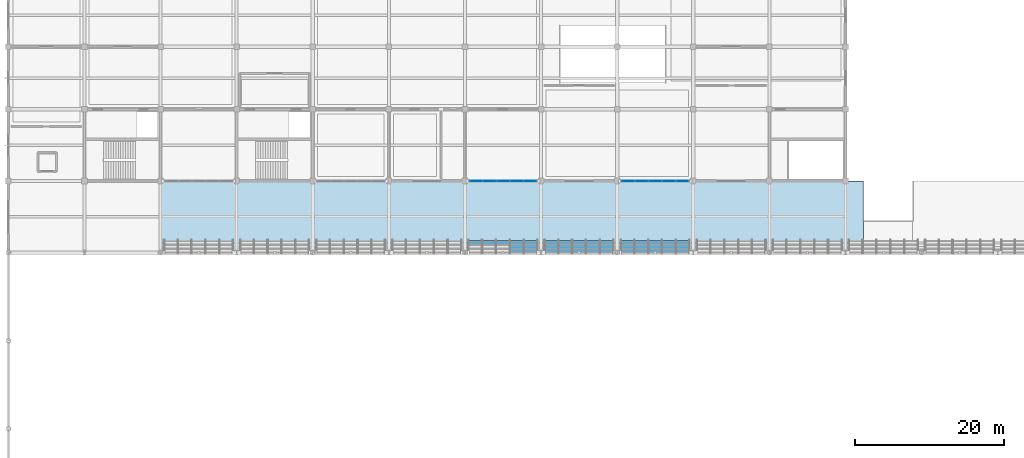
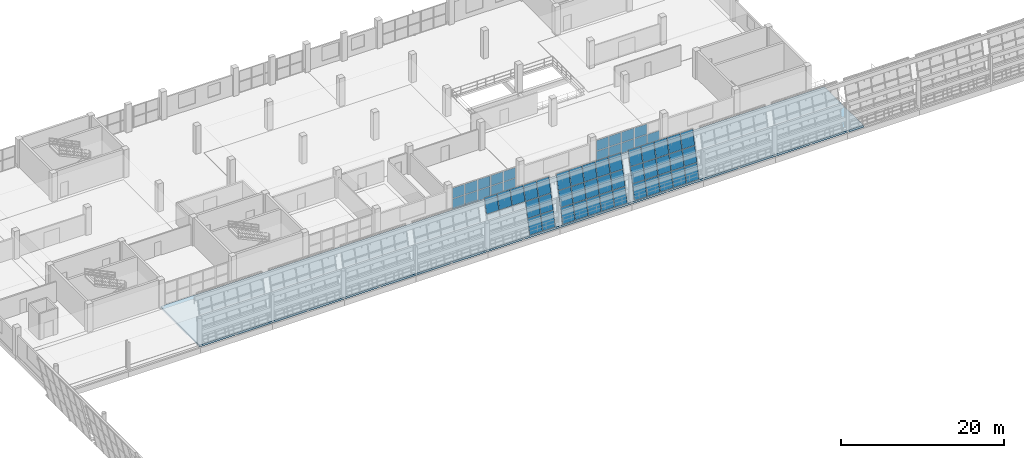
# One storey, part 108 of 157: 58 plates, 1 slab, 5 elements without a shape of their own.
"""IFC4 building model written with IfcOpenShell, lengths in metres."""

from ifc_helpers import new_model, si_unit, direction, frame, origin, origin_2d, place, context, subcontext, project, spatial, polyline, rectangle, outline, extrude, material, layer, layer_set, type_object, element, aggregate, save


model = new_model("IFC4")

# Units and contexts
model_context = context("Model", 3, precision=1e-05, world=origin(), true_north=direction((0.0, 1.0)))
body_context = subcontext(model_context, "Body", "Model", "MODEL_VIEW")
ifc_project = project(units=[si_unit("LENGTHUNIT", "METRE"), si_unit("AREAUNIT", "SQUARE_METRE"), si_unit("VOLUMEUNIT", "CUBIC_METRE"), si_unit("PLANEANGLEUNIT", "RADIAN"), si_unit("MASSUNIT", "GRAM", prefix="KILO")], contexts=[model_context])

# Site, building, storey
site_placement = place(None, origin())
site = spatial("IfcSite", under=ifc_project, at=site_placement, CompositionType="ELEMENT")
building_placement = place(site_placement, origin())
building = spatial("IfcBuilding", under=site, at=building_placement, Name="Brelvane Convention Centre", CompositionType="ELEMENT")
storey_placement = place(building_placement, frame((0.0, 0.0, 10.800048828125)))
storey = spatial("IfcBuildingStorey", under=building, at=storey_placement, Name="L02", CompositionType="ELEMENT", Elevation=10.800048828125)

# Curtain wall, plates
ifc_material_1 = material(Name="Anodised Aluminium Alloy 6063-T6", Category="aluminium")
curtain_wall_type_1 = type_object("IfcCurtainWallType", Name="Curtain Wall CW-COURT", PredefinedType="USERDEFINED", material=ifc_material_1)
curtain_wall_1_placement = place(storey_placement, origin())
curtain_wall_1 = element("IfcCurtainWall", 1, at=curtain_wall_1_placement, inside=storey, type_object=curtain_wall_type_1, Name="Curtain Wall CW-COURT L02-V4S-07", ObjectType="UNITISED", PredefinedType="USERDEFINED")
ifc_material_2 = material(Name="Double Glazed Low-E Laminated Unit")
ifc_layer_1 = layer(ifc_material_2, 0.031982421875)
ifc_layer_set_1 = layer_set([ifc_layer_1], Name="Double Glazed Low-E Laminated Unit")
plate_type_1 = type_object("IfcPlateType", Name="Curtain Panel CW-PG1", PredefinedType="CURTAIN_PANEL", material=ifc_layer_set_1)
plate_1_placement = place(storey_placement, frame((62.6787109375, 109.199951171875, 0.070068359375), z_axis=(0.0, 0.0, 1.0), x_axis=(1.0, 0.0, 0.0)))
plate_1 = element("IfcPlate", 2, at=plate_1_placement, type_object=plate_type_1, Name="CW-COURT panel 1.1", PredefinedType="CURTAIN_PANEL", context=body_context, shape_type="SweptSolid", body=[
    extrude(rectangle(XDim=1.70751953125, YDim=0.031982421875, at=origin_2d()), origin(), (0.0, 0.0, 1.0), 1.544921875),
])
plate_2_placement = place(storey_placement, frame((62.6787109375, 109.199951171875, 1.68505859375), z_axis=(0.0, 0.0, 1.0), x_axis=(1.0, 0.0, 0.0)))
plate_2 = element("IfcPlate", 3, at=plate_2_placement, type_object=plate_type_1, Name="CW-COURT panel 1.2", PredefinedType="CURTAIN_PANEL", context=body_context, shape_type="SweptSolid", body=[
    extrude(rectangle(XDim=1.70751953125, YDim=0.031982421875, at=origin_2d()), origin(), (0.0, 0.0, 1.0), 1.544921875),
])
plate_3_placement = place(storey_placement, frame((64.47998046875, 109.199951171875, 0.070068359375), z_axis=(0.0, 0.0, 1.0), x_axis=(1.0, 0.0, 0.0)))
plate_3 = element("IfcPlate", 4, at=plate_3_placement, type_object=plate_type_1, Name="CW-COURT panel 2.1", PredefinedType="CURTAIN_PANEL", context=body_context, shape_type="SweptSolid", body=[
    extrude(rectangle(XDim=1.7451171875, YDim=0.031982421875, at=origin_2d()), origin(), (0.0, 0.0, 1.0), 1.544921875),
])
plate_4_placement = place(storey_placement, frame((64.47998046875, 109.199951171875, 1.68505859375), z_axis=(0.0, 0.0, 1.0), x_axis=(1.0, 0.0, 0.0)))
plate_4 = element("IfcPlate", 5, at=plate_4_placement, type_object=plate_type_1, Name="CW-COURT panel 2.2", PredefinedType="CURTAIN_PANEL", context=body_context, shape_type="SweptSolid", body=[
    extrude(rectangle(XDim=1.7451171875, YDim=0.031982421875, at=origin_2d()), origin(), (0.0, 0.0, 1.0), 1.544921875),
])
plate_5_placement = place(storey_placement, frame((66.300048828125, 109.199951171875, 0.070068359375), z_axis=(0.0, 0.0, 1.0), x_axis=(1.0, 0.0, 0.0)))
plate_5 = element("IfcPlate", 6, at=plate_5_placement, type_object=plate_type_1, Name="CW-COURT panel 3.1", PredefinedType="CURTAIN_PANEL", context=body_context, shape_type="SweptSolid", body=[
    extrude(rectangle(XDim=1.7451171875, YDim=0.031982421875, at=origin_2d()), origin(), (0.0, 0.0, 1.0), 1.544921875),
])
plate_6_placement = place(storey_placement, frame((66.300048828125, 109.199951171875, 1.68505859375), z_axis=(0.0, 0.0, 1.0), x_axis=(1.0, 0.0, 0.0)))
plate_6 = element("IfcPlate", 7, at=plate_6_placement, type_object=plate_type_1, Name="CW-COURT panel 3.2", PredefinedType="CURTAIN_PANEL", context=body_context, shape_type="SweptSolid", body=[
    extrude(rectangle(XDim=1.7451171875, YDim=0.031982421875, at=origin_2d()), origin(), (0.0, 0.0, 1.0), 1.544921875),
])
plate_7_placement = place(storey_placement, frame((68.1201171875, 109.199951171875, 0.070068359375), z_axis=(0.0, 0.0, 1.0), x_axis=(1.0, 0.0, 0.0)))
plate_7 = element("IfcPlate", 8, at=plate_7_placement, type_object=plate_type_1, Name="CW-COURT panel 4.1", PredefinedType="CURTAIN_PANEL", context=body_context, shape_type="SweptSolid", body=[
    extrude(rectangle(XDim=1.7451171875, YDim=0.031982421875, at=origin_2d()), origin(), (0.0, 0.0, 1.0), 1.544921875),
])
plate_8_placement = place(storey_placement, frame((68.1201171875, 109.199951171875, 1.68505859375), z_axis=(0.0, 0.0, 1.0), x_axis=(1.0, 0.0, 0.0)))
plate_8 = element("IfcPlate", 9, at=plate_8_placement, type_object=plate_type_1, Name="CW-COURT panel 4.2", PredefinedType="CURTAIN_PANEL", context=body_context, shape_type="SweptSolid", body=[
    extrude(rectangle(XDim=1.7451171875, YDim=0.031982421875, at=origin_2d()), origin(), (0.0, 0.0, 1.0), 1.544921875),
])
plate_9_placement = place(storey_placement, frame((69.921142578125, 109.199951171875, 0.070068359375), z_axis=(0.0, 0.0, 1.0), x_axis=(1.0, 0.0, 0.0)))
plate_9 = element("IfcPlate", 10, at=plate_9_placement, type_object=plate_type_1, Name="CW-COURT panel 5.1", PredefinedType="CURTAIN_PANEL", context=body_context, shape_type="SweptSolid", body=[
    extrude(rectangle(XDim=1.70751953125, YDim=0.031982421875, at=origin_2d()), origin(), (0.0, 0.0, 1.0), 1.544921875),
])
plate_10_placement = place(storey_placement, frame((69.921142578125, 109.199951171875, 1.68505859375), z_axis=(0.0, 0.0, 1.0), x_axis=(1.0, 0.0, 0.0)))
plate_10 = element("IfcPlate", 11, at=plate_10_placement, type_object=plate_type_1, Name="CW-COURT panel 5.2", PredefinedType="CURTAIN_PANEL", context=body_context, shape_type="SweptSolid", body=[
    extrude(rectangle(XDim=1.70751953125, YDim=0.031982421875, at=origin_2d()), origin(), (0.0, 0.0, 1.0), 1.544921875),
])
aggregate(curtain_wall_1, [plate_1, plate_2, plate_3, plate_4, plate_5, plate_6, plate_7, plate_8, plate_9, plate_10])

curtain_wall_2_placement = place(storey_placement, origin())
curtain_wall_2 = element("IfcCurtainWall", 12, at=curtain_wall_2_placement, inside=storey, type_object=curtain_wall_type_1, Name="Curtain Wall CW-COURT L02-V4S-09", ObjectType="UNITISED", PredefinedType="USERDEFINED")
plate_11_placement = place(storey_placement, frame((83.078857421875, 109.199951171875, 0.070068359375), z_axis=(0.0, 0.0, 1.0), x_axis=(1.0, 0.0, 0.0)))
plate_11 = element("IfcPlate", 13, at=plate_11_placement, type_object=plate_type_1, Name="CW-COURT panel 1.1", PredefinedType="CURTAIN_PANEL", context=body_context, shape_type="SweptSolid", body=[
    extrude(rectangle(XDim=1.70751953125, YDim=0.031982421875, at=origin_2d()), origin(), (0.0, 0.0, 1.0), 1.544921875),
])
plate_12_placement = place(storey_placement, frame((83.078857421875, 109.199951171875, 1.68505859375), z_axis=(0.0, 0.0, 1.0), x_axis=(1.0, 0.0, 0.0)))
plate_12 = element("IfcPlate", 14, at=plate_12_placement, type_object=plate_type_1, Name="CW-COURT panel 1.2", PredefinedType="CURTAIN_PANEL", context=body_context, shape_type="SweptSolid", body=[
    extrude(rectangle(XDim=1.70751953125, YDim=0.031982421875, at=origin_2d()), origin(), (0.0, 0.0, 1.0), 1.544921875),
])
plate_13_placement = place(storey_placement, frame((84.8798828125, 109.199951171875, 0.070068359375), z_axis=(0.0, 0.0, 1.0), x_axis=(1.0, 0.0, 0.0)))
plate_13 = element("IfcPlate", 15, at=plate_13_placement, type_object=plate_type_1, Name="CW-COURT panel 2.1", PredefinedType="CURTAIN_PANEL", context=body_context, shape_type="SweptSolid", body=[
    extrude(rectangle(XDim=1.7451171875, YDim=0.031982421875, at=origin_2d()), origin(), (0.0, 0.0, 1.0), 1.544921875),
])
plate_14_placement = place(storey_placement, frame((84.8798828125, 109.199951171875, 1.68505859375), z_axis=(0.0, 0.0, 1.0), x_axis=(1.0, 0.0, 0.0)))
plate_14 = element("IfcPlate", 16, at=plate_14_placement, type_object=plate_type_1, Name="CW-COURT panel 2.2", PredefinedType="CURTAIN_PANEL", context=body_context, shape_type="SweptSolid", body=[
    extrude(rectangle(XDim=1.7451171875, YDim=0.031982421875, at=origin_2d()), origin(), (0.0, 0.0, 1.0), 1.544921875),
])
plate_15_placement = place(storey_placement, frame((86.699951171875, 109.199951171875, 0.070068359375), z_axis=(0.0, 0.0, 1.0), x_axis=(1.0, 0.0, 0.0)))
plate_15 = element("IfcPlate", 17, at=plate_15_placement, type_object=plate_type_1, Name="CW-COURT panel 3.1", PredefinedType="CURTAIN_PANEL", context=body_context, shape_type="SweptSolid", body=[
    extrude(rectangle(XDim=1.7451171875, YDim=0.031982421875, at=origin_2d()), origin(), (0.0, 0.0, 1.0), 1.544921875),
])
plate_16_placement = place(storey_placement, frame((86.699951171875, 109.199951171875, 1.68505859375), z_axis=(0.0, 0.0, 1.0), x_axis=(1.0, 0.0, 0.0)))
plate_16 = element("IfcPlate", 18, at=plate_16_placement, type_object=plate_type_1, Name="CW-COURT panel 3.2", PredefinedType="CURTAIN_PANEL", context=body_context, shape_type="SweptSolid", body=[
    extrude(rectangle(XDim=1.7451171875, YDim=0.031982421875, at=origin_2d()), origin(), (0.0, 0.0, 1.0), 1.544921875),
])
plate_17_placement = place(storey_placement, frame((88.52001953125, 109.199951171875, 0.070068359375), z_axis=(0.0, 0.0, 1.0), x_axis=(1.0, 0.0, 0.0)))
plate_17 = element("IfcPlate", 19, at=plate_17_placement, type_object=plate_type_1, Name="CW-COURT panel 4.1", PredefinedType="CURTAIN_PANEL", context=body_context, shape_type="SweptSolid", body=[
    extrude(rectangle(XDim=1.7451171875, YDim=0.031982421875, at=origin_2d()), origin(), (0.0, 0.0, 1.0), 1.544921875),
])
plate_18_placement = place(storey_placement, frame((88.52001953125, 109.199951171875, 1.68505859375), z_axis=(0.0, 0.0, 1.0), x_axis=(1.0, 0.0, 0.0)))
plate_18 = element("IfcPlate", 20, at=plate_18_placement, type_object=plate_type_1, Name="CW-COURT panel 4.2", PredefinedType="CURTAIN_PANEL", context=body_context, shape_type="SweptSolid", body=[
    extrude(rectangle(XDim=1.7451171875, YDim=0.031982421875, at=origin_2d()), origin(), (0.0, 0.0, 1.0), 1.544921875),
])
plate_19_placement = place(storey_placement, frame((90.3212890625, 109.199951171875, 0.070068359375), z_axis=(0.0, 0.0, 1.0), x_axis=(1.0, 0.0, 0.0)))
plate_19 = element("IfcPlate", 21, at=plate_19_placement, type_object=plate_type_1, Name="CW-COURT panel 5.1", PredefinedType="CURTAIN_PANEL", context=body_context, shape_type="SweptSolid", body=[
    extrude(rectangle(XDim=1.70751953125, YDim=0.031982421875, at=origin_2d()), origin(), (0.0, 0.0, 1.0), 1.544921875),
])
aggregate(curtain_wall_2, [plate_11, plate_12, plate_13, plate_14, plate_15, plate_16, plate_17, plate_18, plate_19])

ifc_material_3 = material(Name="Anodised Aluminium Alloy 6063-T6", Category="aluminium")
curtain_wall_type_2 = type_object("IfcCurtainWallType", Name="Curtain Wall CW-HULL-N", PredefinedType="USERDEFINED", material=ifc_material_3)
curtain_wall_3_placement = place(storey_placement, origin())
curtain_wall_3 = element("IfcCurtainWall", 22, at=curtain_wall_3_placement, inside=storey, type_object=curtain_wall_type_2, Name="Curtain Wall CW-HULL-N L02-V1N-HULL-07", ObjectType="UNITISED", PredefinedType="USERDEFINED")
ifc_material_4 = material(Name="Double Glazed Low-E Laminated Unit")
ifc_layer_2 = layer(ifc_material_4, 0.0380859375)
ifc_layer_set_2 = layer_set([ifc_layer_2], Name="Double Glazed Low-E Laminated Unit")
plate_type_2 = type_object("IfcPlateType", Name="Curtain Panel CW-PG2", PredefinedType="CURTAIN_PANEL", material=ifc_layer_set_2)
plate_20_placement = place(storey_placement, frame((61.72998046875, 100.664794921875, 4.5400390625), z_axis=(0.0, -0.973558945432, 0.228435942377), x_axis=(1.0, 0.0, 0.0)))
plate_20 = element("IfcPlate", 23, at=plate_20_placement, type_object=plate_type_2, Name="CW-HULL-N panel 1.3", PredefinedType="CURTAIN_PANEL", context=body_context, shape_type="SweptSolid", body=[
    extrude(outline(polyline([(0.0, 0.0), (1.739990234375, 0.0), (1.739990234375, 2.18772866552563), (0.0, 2.18772866552563), (0.0, 0.0)])), origin(), (0.0, 0.0, -1.0), 0.0380859375),
])
plate_21_placement = place(storey_placement, frame((63.550048828125, 100.664794921875, 4.5400390625), z_axis=(0.0, -0.973558945432, 0.228435942377), x_axis=(1.0, 0.0, 0.0)))
plate_21 = element("IfcPlate", 24, at=plate_21_placement, type_object=plate_type_2, Name="CW-HULL-N panel 2.3", PredefinedType="CURTAIN_PANEL", context=body_context, shape_type="SweptSolid", body=[
    extrude(outline(polyline([(0.0, 0.0), (1.780029296875, 0.0), (1.780029296875, 2.18772866552563), (0.0, 2.18772866552563), (0.0, 0.0)])), origin(), (0.0, 0.0, -1.0), 0.0380859375),
])
plate_22_placement = place(storey_placement, frame((65.409912109375, 100.664794921875, 4.5400390625), z_axis=(0.0, -0.973558945432, 0.228435942377), x_axis=(1.0, 0.0, 0.0)))
plate_22 = element("IfcPlate", 25, at=plate_22_placement, type_object=plate_type_2, Name="CW-HULL-N panel 3.3", PredefinedType="CURTAIN_PANEL", context=body_context, shape_type="SweptSolid", body=[
    extrude(outline(polyline([(0.0, 0.0), (1.780029296875, 0.0), (1.780029296875, 2.18772866552563), (0.0, 2.18772866552563), (0.0, 0.0)])), origin(), (0.0, 0.0, -1.0), 0.0380859375),
])
plate_23_placement = place(storey_placement, frame((67.27001953125, 100.13720703125, 2.2900390625), z_axis=(0.0, -0.973595011737, 0.22828217872), x_axis=(1.0, 0.0, 0.0)))
plate_23 = element("IfcPlate", 26, at=plate_23_placement, type_object=plate_type_2, Name="CW-HULL-N panel 4.2", PredefinedType="CURTAIN_PANEL", context=body_context, shape_type="SweptSolid", body=[
    extrude(outline(polyline([(0.0, 0.0), (1.780029296875, 0.0), (1.780029296875, 2.2287725890550485), (0.0, 2.2287725890550485), (0.0, 0.0)])), origin(), (0.0, 0.0, -1.0), 0.0380859375),
])
plate_24_placement = place(storey_placement, frame((67.27001953125, 100.664794921875, 4.5400390625), z_axis=(0.0, -0.973558945432, 0.228435942377), x_axis=(1.0, 0.0, 0.0)))
plate_24 = element("IfcPlate", 27, at=plate_24_placement, type_object=plate_type_2, Name="CW-HULL-N panel 4.3", PredefinedType="CURTAIN_PANEL", context=body_context, shape_type="SweptSolid", body=[
    extrude(outline(polyline([(0.0, 0.0), (1.780029296875, 0.0), (1.780029296875, 2.18772866552563), (0.0, 2.18772866552563), (0.0, 0.0)])), origin(), (0.0, 0.0, -1.0), 0.0380859375),
])
plate_25_placement = place(storey_placement, frame((69.1298828125, 100.13720703125, 2.2900390625), z_axis=(0.0, -0.973595011737, 0.22828217872), x_axis=(1.0, 0.0, 0.0)))
plate_25 = element("IfcPlate", 28, at=plate_25_placement, type_object=plate_type_2, Name="CW-HULL-N panel 5.2", PredefinedType="CURTAIN_PANEL", context=body_context, shape_type="SweptSolid", body=[
    extrude(outline(polyline([(0.0, 0.0), (1.740234375, 0.0), (1.740234375, 2.2287725890550485), (0.0, 2.2287725890550485), (0.0, 0.0)])), origin(), (0.0, 0.0, -1.0), 0.0380859375),
])
plate_26_placement = place(storey_placement, frame((69.1298828125, 100.664794921875, 4.5400390625), z_axis=(0.0, -0.973558945432, 0.228435942377), x_axis=(1.0, 0.0, 0.0)))
plate_26 = element("IfcPlate", 29, at=plate_26_placement, type_object=plate_type_2, Name="CW-HULL-N panel 5.3", PredefinedType="CURTAIN_PANEL", context=body_context, shape_type="SweptSolid", body=[
    extrude(outline(polyline([(0.0, 0.0), (1.740234375, 0.0), (1.740234375, 2.18772866552563), (0.0, 2.18772866552563), (0.0, 0.0)])), origin(), (0.0, 0.0, -1.0), 0.0380859375),
])

curtain_wall_4_placement = place(storey_placement, origin())
curtain_wall_4 = element("IfcCurtainWall", 30, at=curtain_wall_4_placement, inside=storey, type_object=curtain_wall_type_2, Name="Curtain Wall CW-HULL-N L02-V1N-HULL-08", ObjectType="UNITISED", PredefinedType="USERDEFINED")
plate_27_placement = place(storey_placement, frame((71.929931640625, 100.13720703125, 2.2900390625), z_axis=(0.0, -0.973595011737, 0.22828217872), x_axis=(1.0, 0.0, 0.0)))
plate_27 = element("IfcPlate", 31, at=plate_27_placement, type_object=plate_type_2, Name="CW-HULL-N panel 1.2", PredefinedType="CURTAIN_PANEL", context=body_context, shape_type="SweptSolid", body=[
    extrude(outline(polyline([(0.0, 0.0), (1.739990234375, 0.0), (1.739990234375, 2.2287725890550485), (0.0, 2.2287725890550485), (0.0, 0.0)])), origin(), (0.0, 0.0, -1.0), 0.0380859375),
])
plate_28_placement = place(storey_placement, frame((71.929931640625, 100.664794921875, 4.5400390625), z_axis=(0.0, -0.973558945432, 0.228435942377), x_axis=(1.0, 0.0, 0.0)))
plate_28 = element("IfcPlate", 32, at=plate_28_placement, type_object=plate_type_2, Name="CW-HULL-N panel 1.3", PredefinedType="CURTAIN_PANEL", context=body_context, shape_type="SweptSolid", body=[
    extrude(outline(polyline([(0.0, 0.0), (1.739990234375, 0.0), (1.739990234375, 2.18772866552563), (0.0, 2.18772866552563), (0.0, 0.0)])), origin(), (0.0, 0.0, -1.0), 0.0380859375),
])
plate_29_placement = place(storey_placement, frame((73.75, 100.13720703125, 2.2900390625), z_axis=(0.0, -0.973595011737, 0.22828217872), x_axis=(1.0, 0.0, 0.0)))
plate_29 = element("IfcPlate", 33, at=plate_29_placement, type_object=plate_type_2, Name="CW-HULL-N panel 2.2", PredefinedType="CURTAIN_PANEL", context=body_context, shape_type="SweptSolid", body=[
    extrude(outline(polyline([(0.0, 0.0), (1.780029296875, 0.0), (1.780029296875, 2.2287725890550485), (0.0, 2.2287725890550485), (0.0, 0.0)])), origin(), (0.0, 0.0, -1.0), 0.0380859375),
])
plate_30_placement = place(storey_placement, frame((73.75, 100.664794921875, 4.5400390625), z_axis=(0.0, -0.973558945432, 0.228435942377), x_axis=(1.0, 0.0, 0.0)))
plate_30 = element("IfcPlate", 34, at=plate_30_placement, type_object=plate_type_2, Name="CW-HULL-N panel 2.3", PredefinedType="CURTAIN_PANEL", context=body_context, shape_type="SweptSolid", body=[
    extrude(outline(polyline([(0.0, 0.0), (1.780029296875, 0.0), (1.780029296875, 2.18772866552563), (0.0, 2.18772866552563), (0.0, 0.0)])), origin(), (0.0, 0.0, -1.0), 0.0380859375),
])
plate_31_placement = place(storey_placement, frame((75.610107421875, 100.13720703125, 2.2900390625), z_axis=(0.0, -0.973595011737, 0.22828217872), x_axis=(1.0, 0.0, 0.0)))
plate_31 = element("IfcPlate", 35, at=plate_31_placement, type_object=plate_type_2, Name="CW-HULL-N panel 3.2", PredefinedType="CURTAIN_PANEL", context=body_context, shape_type="SweptSolid", body=[
    extrude(outline(polyline([(0.0, 0.0), (1.77978515625, 0.0), (1.77978515625, 2.2287725890550485), (0.0, 2.2287725890550485), (0.0, 0.0)])), origin(), (0.0, 0.0, -1.0), 0.0380859375),
])
plate_32_placement = place(storey_placement, frame((75.610107421875, 100.664794921875, 4.5400390625), z_axis=(0.0, -0.973558945432, 0.228435942377), x_axis=(1.0, 0.0, 0.0)))
plate_32 = element("IfcPlate", 36, at=plate_32_placement, type_object=plate_type_2, Name="CW-HULL-N panel 3.3", PredefinedType="CURTAIN_PANEL", context=body_context, shape_type="SweptSolid", body=[
    extrude(outline(polyline([(0.0, 0.0), (1.77978515625, 0.0), (1.77978515625, 2.18772866552563), (0.0, 2.18772866552563), (0.0, 0.0)])), origin(), (0.0, 0.0, -1.0), 0.0380859375),
])
plate_33_placement = place(storey_placement, frame((77.469970703125, 100.13720703125, 2.2900390625), z_axis=(0.0, -0.973595011737, 0.22828217872), x_axis=(1.0, 0.0, 0.0)))
plate_33 = element("IfcPlate", 37, at=plate_33_placement, type_object=plate_type_2, Name="CW-HULL-N panel 4.2", PredefinedType="CURTAIN_PANEL", context=body_context, shape_type="SweptSolid", body=[
    extrude(outline(polyline([(0.0, 0.0), (1.780029296875, 0.0), (1.780029296875, 2.2287725890550485), (0.0, 2.2287725890550485), (0.0, 0.0)])), origin(), (0.0, 0.0, -1.0), 0.0380859375),
])
plate_34_placement = place(storey_placement, frame((77.469970703125, 100.664794921875, 4.5400390625), z_axis=(0.0, -0.973558945432, 0.228435942377), x_axis=(1.0, 0.0, 0.0)))
plate_34 = element("IfcPlate", 38, at=plate_34_placement, type_object=plate_type_2, Name="CW-HULL-N panel 4.3", PredefinedType="CURTAIN_PANEL", context=body_context, shape_type="SweptSolid", body=[
    extrude(outline(polyline([(0.0, 0.0), (1.780029296875, 0.0), (1.780029296875, 2.18772866552563), (0.0, 2.18772866552563), (0.0, 0.0)])), origin(), (0.0, 0.0, -1.0), 0.0380859375),
])
plate_35_placement = place(storey_placement, frame((79.330078125, 100.13720703125, 2.2900390625), z_axis=(0.0, -0.973595011737, 0.22828217872), x_axis=(1.0, 0.0, 0.0)))
plate_35 = element("IfcPlate", 39, at=plate_35_placement, type_object=plate_type_2, Name="CW-HULL-N panel 5.2", PredefinedType="CURTAIN_PANEL", context=body_context, shape_type="SweptSolid", body=[
    extrude(outline(polyline([(0.0, 0.0), (1.739990234375, 0.0), (1.739990234375, 2.2287725890550485), (0.0, 2.2287725890550485), (0.0, 0.0)])), origin(), (0.0, 0.0, -1.0), 0.0380859375),
])
plate_36_placement = place(storey_placement, frame((79.330078125, 100.664794921875, 4.5400390625), z_axis=(0.0, -0.973558945432, 0.228435942377), x_axis=(1.0, 0.0, 0.0)))
plate_36 = element("IfcPlate", 40, at=plate_36_placement, type_object=plate_type_2, Name="CW-HULL-N panel 5.3", PredefinedType="CURTAIN_PANEL", context=body_context, shape_type="SweptSolid", body=[
    extrude(outline(polyline([(0.0, 0.0), (1.739990234375, 0.0), (1.739990234375, 2.18772866552563), (0.0, 2.18772866552563), (0.0, 0.0)])), origin(), (0.0, 0.0, -1.0), 0.0380859375),
])

curtain_wall_5_placement = place(storey_placement, origin())
curtain_wall_5 = element("IfcCurtainWall", 41, at=curtain_wall_5_placement, inside=storey, type_object=curtain_wall_type_2, Name="Curtain Wall CW-HULL-N L02-V1N-HULL-09", ObjectType="UNITISED", PredefinedType="USERDEFINED")
plate_37_placement = place(storey_placement, frame((82.1298828125, 100.13720703125, 2.2900390625), z_axis=(0.0, -0.973595011737, 0.22828217872), x_axis=(1.0, 0.0, 0.0)))
plate_37 = element("IfcPlate", 42, at=plate_37_placement, type_object=plate_type_2, Name="CW-HULL-N panel 1.2", PredefinedType="CURTAIN_PANEL", context=body_context, shape_type="SweptSolid", body=[
    extrude(outline(polyline([(0.0, 0.0), (1.740234375, 0.0), (1.740234375, 2.2287725890550485), (0.0, 2.2287725890550485), (0.0, 0.0)])), origin(), (0.0, 0.0, -1.0), 0.0380859375),
])
plate_38_placement = place(storey_placement, frame((82.1298828125, 100.664794921875, 4.5400390625), z_axis=(0.0, -0.973558945432, 0.228435942377), x_axis=(1.0, 0.0, 0.0)))
plate_38 = element("IfcPlate", 43, at=plate_38_placement, type_object=plate_type_2, Name="CW-HULL-N panel 1.3", PredefinedType="CURTAIN_PANEL", context=body_context, shape_type="SweptSolid", body=[
    extrude(outline(polyline([(0.0, 0.0), (1.740234375, 0.0), (1.740234375, 2.18772866552563), (0.0, 2.18772866552563), (0.0, 0.0)])), origin(), (0.0, 0.0, -1.0), 0.0380859375),
])
plate_39_placement = place(storey_placement, frame((83.949951171875, 100.13720703125, 2.2900390625), z_axis=(0.0, -0.973595011737, 0.22828217872), x_axis=(1.0, 0.0, 0.0)))
plate_39 = element("IfcPlate", 44, at=plate_39_placement, type_object=plate_type_2, Name="CW-HULL-N panel 2.2", PredefinedType="CURTAIN_PANEL", context=body_context, shape_type="SweptSolid", body=[
    extrude(outline(polyline([(0.0, 0.0), (1.780029296875, 0.0), (1.780029296875, 2.2287725890550485), (0.0, 2.2287725890550485), (0.0, 0.0)])), origin(), (0.0, 0.0, -1.0), 0.0380859375),
])
plate_40_placement = place(storey_placement, frame((83.949951171875, 100.664794921875, 4.5400390625), z_axis=(0.0, -0.973558945432, 0.228435942377), x_axis=(1.0, 0.0, 0.0)))
plate_40 = element("IfcPlate", 45, at=plate_40_placement, type_object=plate_type_2, Name="CW-HULL-N panel 2.3", PredefinedType="CURTAIN_PANEL", context=body_context, shape_type="SweptSolid", body=[
    extrude(outline(polyline([(0.0, 0.0), (1.780029296875, 0.0), (1.780029296875, 2.18772866552563), (0.0, 2.18772866552563), (0.0, 0.0)])), origin(), (0.0, 0.0, -1.0), 0.0380859375),
])
plate_41_placement = place(storey_placement, frame((85.81005859375, 100.13720703125, 2.2900390625), z_axis=(0.0, -0.973595011737, 0.22828217872), x_axis=(1.0, 0.0, 0.0)))
plate_41 = element("IfcPlate", 46, at=plate_41_placement, type_object=plate_type_2, Name="CW-HULL-N panel 3.2", PredefinedType="CURTAIN_PANEL", context=body_context, shape_type="SweptSolid", body=[
    extrude(outline(polyline([(0.0, 0.0), (1.780029296875, 0.0), (1.780029296875, 2.2287725890550485), (0.0, 2.2287725890550485), (0.0, 0.0)])), origin(), (0.0, 0.0, -1.0), 0.0380859375),
])
plate_42_placement = place(storey_placement, frame((85.81005859375, 100.664794921875, 4.5400390625), z_axis=(0.0, -0.973558945432, 0.228435942377), x_axis=(1.0, 0.0, 0.0)))
plate_42 = element("IfcPlate", 47, at=plate_42_placement, type_object=plate_type_2, Name="CW-HULL-N panel 3.3", PredefinedType="CURTAIN_PANEL", context=body_context, shape_type="SweptSolid", body=[
    extrude(outline(polyline([(0.0, 0.0), (1.780029296875, 0.0), (1.780029296875, 2.18772866552563), (0.0, 2.18772866552563), (0.0, 0.0)])), origin(), (0.0, 0.0, -1.0), 0.0380859375),
])
plate_43_placement = place(storey_placement, frame((87.669921875, 100.13720703125, 2.2900390625), z_axis=(0.0, -0.973595011737, 0.22828217872), x_axis=(1.0, 0.0, 0.0)))
plate_43 = element("IfcPlate", 48, at=plate_43_placement, type_object=plate_type_2, Name="CW-HULL-N panel 4.2", PredefinedType="CURTAIN_PANEL", context=body_context, shape_type="SweptSolid", body=[
    extrude(outline(polyline([(0.0, 0.0), (1.780029296875, 0.0), (1.780029296875, 2.2287725890550485), (0.0, 2.2287725890550485), (0.0, 0.0)])), origin(), (0.0, 0.0, -1.0), 0.0380859375),
])
plate_44_placement = place(storey_placement, frame((87.669921875, 100.664794921875, 4.5400390625), z_axis=(0.0, -0.973558945432, 0.228435942377), x_axis=(1.0, 0.0, 0.0)))
plate_44 = element("IfcPlate", 49, at=plate_44_placement, type_object=plate_type_2, Name="CW-HULL-N panel 4.3", PredefinedType="CURTAIN_PANEL", context=body_context, shape_type="SweptSolid", body=[
    extrude(outline(polyline([(0.0, 0.0), (1.780029296875, 0.0), (1.780029296875, 2.18772866552563), (0.0, 2.18772866552563), (0.0, 0.0)])), origin(), (0.0, 0.0, -1.0), 0.0380859375),
])
plate_45_placement = place(storey_placement, frame((89.530029296875, 100.13720703125, 2.2900390625), z_axis=(0.0, -0.973595011737, 0.22828217872), x_axis=(1.0, 0.0, 0.0)))
plate_45 = element("IfcPlate", 50, at=plate_45_placement, type_object=plate_type_2, Name="CW-HULL-N panel 5.2", PredefinedType="CURTAIN_PANEL", context=body_context, shape_type="SweptSolid", body=[
    extrude(outline(polyline([(0.0, 0.0), (1.739990234375, 0.0), (1.739990234375, 2.2287725890550485), (0.0, 2.2287725890550485), (0.0, 0.0)])), origin(), (0.0, 0.0, -1.0), 0.0380859375),
])
plate_46_placement = place(storey_placement, frame((89.530029296875, 100.664794921875, 4.5400390625), z_axis=(0.0, -0.973558945432, 0.228435942377), x_axis=(1.0, 0.0, 0.0)))
plate_46 = element("IfcPlate", 51, at=plate_46_placement, type_object=plate_type_2, Name="CW-HULL-N panel 5.3", PredefinedType="CURTAIN_PANEL", context=body_context, shape_type="SweptSolid", body=[
    extrude(outline(polyline([(0.0, 0.0), (1.739990234375, 0.0), (1.739990234375, 2.18772866552563), (0.0, 2.18772866552563), (0.0, 0.0)])), origin(), (0.0, 0.0, -1.0), 0.0380859375),
])

# Plate
ifc_material_5 = material(Name="Patinated Copper-Bronze Alloy C22000")
ifc_layer_3 = layer(ifc_material_5, 0.048095703125)
ifc_layer_set_3 = layer_set([ifc_layer_3], Name="Patinated Copper-Bronze Alloy C22000")
plate_type_3 = type_object("IfcPlateType", Name="Curtain Panel CW-PS1", PredefinedType="CURTAIN_PANEL", material=ifc_layer_set_3)
plate_47_placement = place(storey_placement, frame((67.27001953125, 99.61865234375, 0.079833984375), z_axis=(0.0, -0.973564767867, 0.228411126627), x_axis=(1.0, 0.0, 0.0)))
plate_47 = element("IfcPlate", 52, at=plate_47_placement, type_object=plate_type_3, Name="CW-HULL-N panel 4.1", PredefinedType="CURTAIN_PANEL", context=body_context, shape_type="SweptSolid", body=[
    extrude(outline(polyline([(0.0, 0.0), (1.780029296875, 0.0), (1.780029296875, 2.1879663515258274), (0.0, 2.1879663515258274), (0.0, 0.0)])), origin(), (0.0, 0.0, -1.0), 0.0380859375),
])

plate_48_placement = place(storey_placement, frame((69.1298828125, 99.61865234375, 0.079833984375), z_axis=(0.0, -0.973564767867, 0.228411126627), x_axis=(1.0, 0.0, 0.0)))
plate_48 = element("IfcPlate", 53, at=plate_48_placement, type_object=plate_type_3, Name="CW-HULL-N panel 5.1", PredefinedType="CURTAIN_PANEL", context=body_context, shape_type="SweptSolid", body=[
    extrude(outline(polyline([(0.0, 0.0), (1.740234375, 0.0), (1.740234375, 2.1879663515258274), (0.0, 2.1879663515258274), (0.0, 0.0)])), origin(), (0.0, 0.0, -1.0), 0.0380859375),
])

aggregate(curtain_wall_3, [plate_20, plate_21, plate_22, plate_47, plate_23, plate_24, plate_48, plate_25, plate_26])

plate_49_placement = place(storey_placement, frame((71.929931640625, 99.61865234375, 0.079833984375), z_axis=(0.0, -0.973564767867, 0.228411126627), x_axis=(1.0, 0.0, 0.0)))
plate_49 = element("IfcPlate", 54, at=plate_49_placement, type_object=plate_type_3, Name="CW-HULL-N panel 1.1", PredefinedType="CURTAIN_PANEL", context=body_context, shape_type="SweptSolid", body=[
    extrude(outline(polyline([(0.0, 0.0), (1.739990234375, 0.0), (1.739990234375, 2.1879663515258274), (0.0, 2.1879663515258274), (0.0, 0.0)])), origin(), (0.0, 0.0, -1.0), 0.0380859375),
])

plate_50_placement = place(storey_placement, frame((73.75, 99.61865234375, 0.079833984375), z_axis=(0.0, -0.973564767867, 0.228411126627), x_axis=(1.0, 0.0, 0.0)))
plate_50 = element("IfcPlate", 55, at=plate_50_placement, type_object=plate_type_3, Name="CW-HULL-N panel 2.1", PredefinedType="CURTAIN_PANEL", context=body_context, shape_type="SweptSolid", body=[
    extrude(outline(polyline([(0.0, 0.0), (1.780029296875, 0.0), (1.780029296875, 2.1879663515258274), (0.0, 2.1879663515258274), (0.0, 0.0)])), origin(), (0.0, 0.0, -1.0), 0.0380859375),
])

plate_51_placement = place(storey_placement, frame((75.610107421875, 99.61865234375, 0.079833984375), z_axis=(0.0, -0.973564767867, 0.228411126627), x_axis=(1.0, 0.0, 0.0)))
plate_51 = element("IfcPlate", 56, at=plate_51_placement, type_object=plate_type_3, Name="CW-HULL-N panel 3.1", PredefinedType="CURTAIN_PANEL", context=body_context, shape_type="SweptSolid", body=[
    extrude(outline(polyline([(0.0, 0.0), (1.77978515625, 0.0), (1.77978515625, 2.187966351525827), (0.0, 2.187966351525827), (0.0, 0.0)])), origin(), (0.0, 0.0, -1.0), 0.0380859375),
])

plate_52_placement = place(storey_placement, frame((77.469970703125, 99.61865234375, 0.079833984375), z_axis=(0.0, -0.973564767867, 0.228411126627), x_axis=(1.0, 0.0, 0.0)))
plate_52 = element("IfcPlate", 57, at=plate_52_placement, type_object=plate_type_3, Name="CW-HULL-N panel 4.1", PredefinedType="CURTAIN_PANEL", context=body_context, shape_type="SweptSolid", body=[
    extrude(outline(polyline([(0.0, 0.0), (1.780029296875, 0.0), (1.780029296875, 2.1879663515258274), (0.0, 2.1879663515258274), (0.0, 0.0)])), origin(), (0.0, 0.0, -1.0), 0.0380859375),
])

plate_53_placement = place(storey_placement, frame((79.330078125, 99.61865234375, 0.079833984375), z_axis=(0.0, -0.973564767867, 0.228411126627), x_axis=(1.0, 0.0, 0.0)))
plate_53 = element("IfcPlate", 58, at=plate_53_placement, type_object=plate_type_3, Name="CW-HULL-N panel 5.1", PredefinedType="CURTAIN_PANEL", context=body_context, shape_type="SweptSolid", body=[
    extrude(outline(polyline([(0.0, 0.0), (1.739990234375, 0.0), (1.739990234375, 2.1879663515258274), (0.0, 2.1879663515258274), (0.0, 0.0)])), origin(), (0.0, 0.0, -1.0), 0.0380859375),
])

aggregate(curtain_wall_4, [plate_49, plate_27, plate_28, plate_50, plate_29, plate_30, plate_51, plate_31, plate_32, plate_52, plate_33, plate_34, plate_53, plate_35, plate_36])

plate_54_placement = place(storey_placement, frame((82.1298828125, 99.61865234375, 0.079833984375), z_axis=(0.0, -0.973564767867, 0.228411126627), x_axis=(1.0, 0.0, 0.0)))
plate_54 = element("IfcPlate", 59, at=plate_54_placement, type_object=plate_type_3, Name="CW-HULL-N panel 1.1", PredefinedType="CURTAIN_PANEL", context=body_context, shape_type="SweptSolid", body=[
    extrude(outline(polyline([(0.0, 0.0), (1.740234375, 0.0), (1.740234375, 2.1879663515258274), (0.0, 2.1879663515258274), (0.0, 0.0)])), origin(), (0.0, 0.0, -1.0), 0.0380859375),
])

plate_55_placement = place(storey_placement, frame((83.949951171875, 99.61865234375, 0.079833984375), z_axis=(0.0, -0.973564767867, 0.228411126627), x_axis=(1.0, 0.0, 0.0)))
plate_55 = element("IfcPlate", 60, at=plate_55_placement, type_object=plate_type_3, Name="CW-HULL-N panel 2.1", PredefinedType="CURTAIN_PANEL", context=body_context, shape_type="SweptSolid", body=[
    extrude(outline(polyline([(0.0, 0.0), (1.780029296875, 0.0), (1.780029296875, 2.1879663515258274), (0.0, 2.1879663515258274), (0.0, 0.0)])), origin(), (0.0, 0.0, -1.0), 0.0380859375),
])

plate_56_placement = place(storey_placement, frame((85.81005859375, 99.61865234375, 0.079833984375), z_axis=(0.0, -0.973564767867, 0.228411126627), x_axis=(1.0, 0.0, 0.0)))
plate_56 = element("IfcPlate", 61, at=plate_56_placement, type_object=plate_type_3, Name="CW-HULL-N panel 3.1", PredefinedType="CURTAIN_PANEL", context=body_context, shape_type="SweptSolid", body=[
    extrude(outline(polyline([(0.0, 0.0), (1.780029296875, 0.0), (1.780029296875, 2.1879663515258274), (0.0, 2.1879663515258274), (0.0, 0.0)])), origin(), (0.0, 0.0, -1.0), 0.0380859375),
])

plate_57_placement = place(storey_placement, frame((87.669921875, 99.61865234375, 0.079833984375), z_axis=(0.0, -0.973564767867, 0.228411126627), x_axis=(1.0, 0.0, 0.0)))
plate_57 = element("IfcPlate", 62, at=plate_57_placement, type_object=plate_type_3, Name="CW-HULL-N panel 4.1", PredefinedType="CURTAIN_PANEL", context=body_context, shape_type="SweptSolid", body=[
    extrude(outline(polyline([(0.0, 0.0), (1.780029296875, 0.0), (1.780029296875, 2.1879663515258274), (0.0, 2.1879663515258274), (0.0, 0.0)])), origin(), (0.0, 0.0, -1.0), 0.0380859375),
])

plate_58_placement = place(storey_placement, frame((89.530029296875, 99.61865234375, 0.079833984375), z_axis=(0.0, -0.973564767867, 0.228411126627), x_axis=(1.0, 0.0, 0.0)))
plate_58 = element("IfcPlate", 63, at=plate_58_placement, type_object=plate_type_3, Name="CW-HULL-N panel 5.1", PredefinedType="CURTAIN_PANEL", context=body_context, shape_type="SweptSolid", body=[
    extrude(outline(polyline([(0.0, 0.0), (1.739990234375, 0.0), (1.739990234375, 2.1879663515258274), (0.0, 2.1879663515258274), (0.0, 0.0)])), origin(), (0.0, 0.0, -1.0), 0.0380859375),
])

aggregate(curtain_wall_5, [plate_54, plate_37, plate_38, plate_55, plate_39, plate_40, plate_56, plate_41, plate_42, plate_57, plate_43, plate_44, plate_58, plate_45, plate_46])

# Slab
ifc_material_6 = material(Name="Concrete M40", Category="concrete")
ifc_layer_4 = layer(ifc_material_6, 0.280029296875)
ifc_layer_set_4 = layer_set([ifc_layer_4], Name="Concrete M40")
slab_type = type_object("IfcSlabType", Name="Structural Slab SL-FLR-280", PredefinedType="FLOOR", material=ifc_layer_set_4)
slab_placement = place(storey_placement, frame((0.0, 0.0, -0.280029296875)))
element("IfcSlab", 64, at=slab_placement, inside=storey, type_object=slab_type, Name="L02 Floor Slab COURT-S", PredefinedType="FLOOR", context=body_context, shape_type="SweptSolid", body=[
    extrude(outline(polyline([(20.39990234375, 99.60009765625), (114.60009765625, 99.60009765625), (114.60009765625, 109.199951171875), (20.39990234375, 109.199951171875), (20.39990234375, 99.60009765625)])), origin(), (0.0, 0.0, 1.0), 0.280029296875),
])

save(model, "model.ifc")
